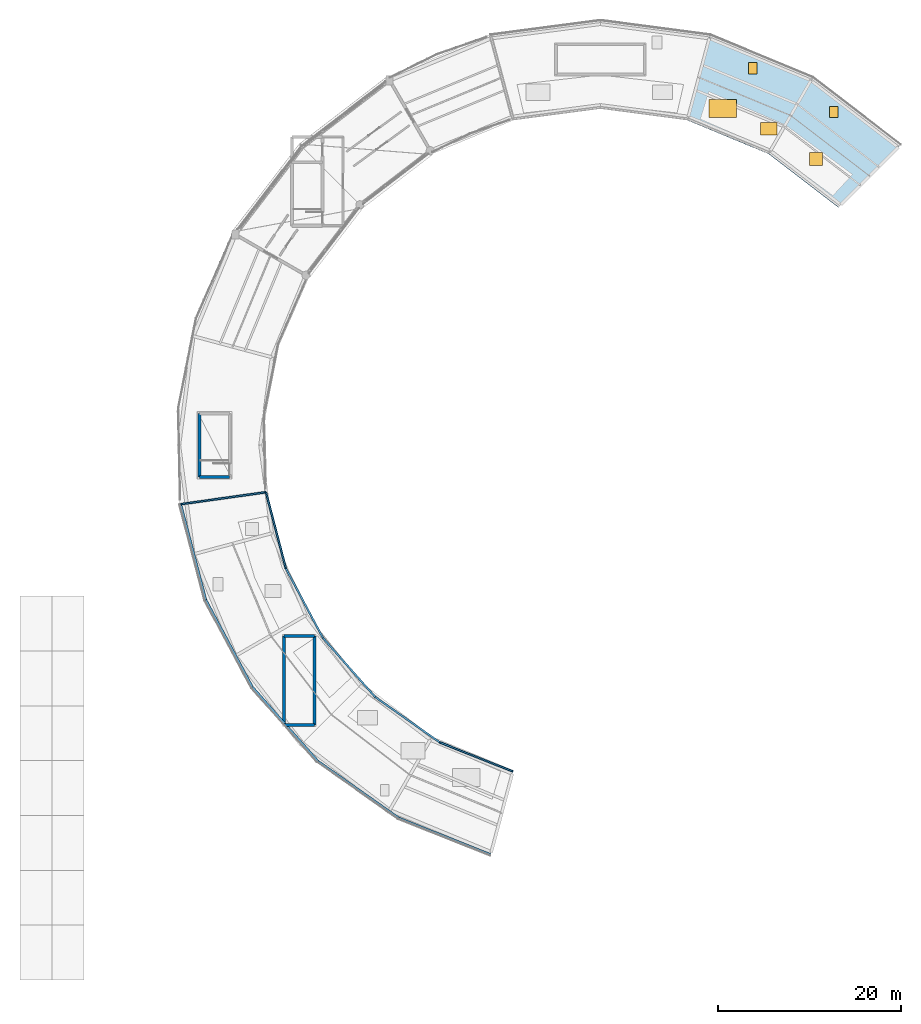
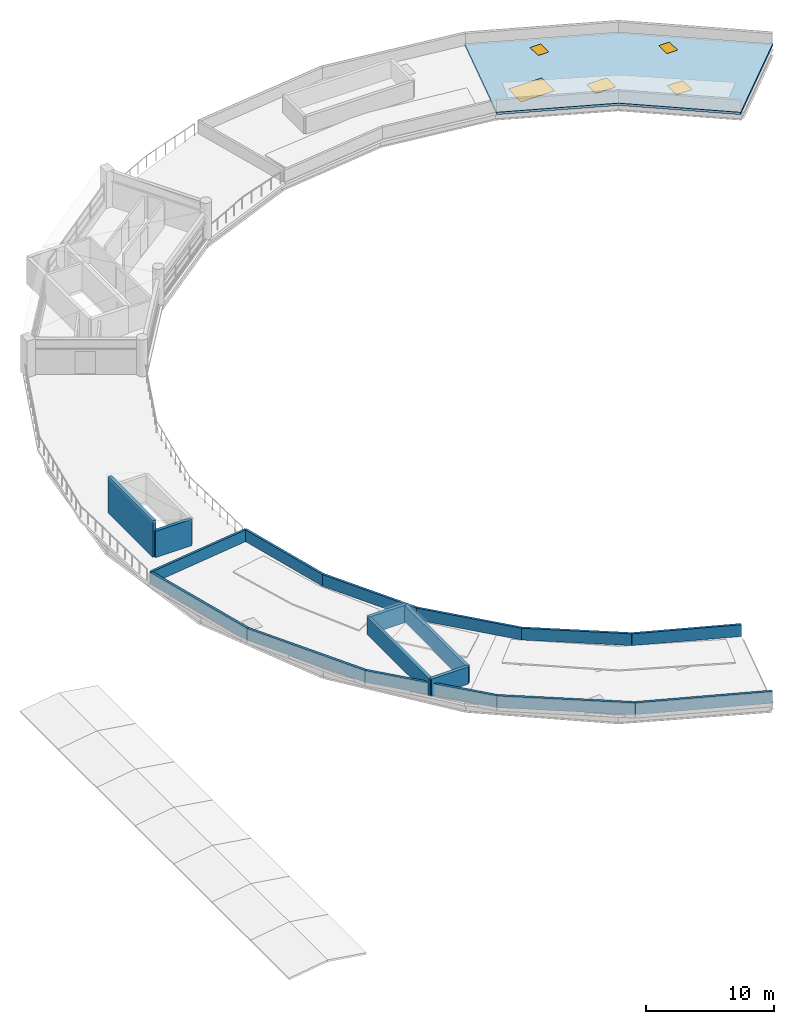
# One storey, part 9 of 12: 17 walls, 3 windows, 2 doors, 1 slab, 5 openings, 1 element without a shape of its own.
"""IFC4 building model written with IfcOpenShell, lengths in metres."""

from ifc_helpers import new_model, si_unit, direction, frame, frame_2d, origin, origin_2d, place, context, subcontext, project, spatial, polyline, rectangle, outline, extrude, material, layer, layer_set, type_object, element, fill, aggregate, save


model = new_model("IFC4")

# Units and contexts
model_context = context("Model", 3, precision=1e-05, world=origin(), true_north=direction((0.0, 1.0)))
body_context = subcontext(model_context, "Body", "Model", "MODEL_VIEW")
ifc_project = project(units=[si_unit("LENGTHUNIT", "METRE"), si_unit("AREAUNIT", "SQUARE_METRE"), si_unit("VOLUMEUNIT", "CUBIC_METRE"), si_unit("PLANEANGLEUNIT", "RADIAN"), si_unit("MASSUNIT", "GRAM", prefix="KILO")], contexts=[model_context])

# Site, building, storey
site_placement = place(None, origin())
site = spatial("IfcSite", under=ifc_project, at=site_placement, CompositionType="ELEMENT")
building_placement = place(site_placement, origin())
building = spatial("IfcBuilding", under=site, at=building_placement, Name="Vespera Passage Community Centre", CompositionType="ELEMENT")
storey_placement = place(building_placement, frame((0.0, 0.0, 24.300048828125)))
storey = spatial("IfcBuildingStorey", under=building, at=storey_placement, Name="ROOF", CompositionType="ELEMENT", Elevation=24.300048828125)

# Roof, slab, openings, doors, windows
ifc_material_1 = material(Name="Concrete f'c 35 MPa", Category="concrete")
roof_type = type_object("IfcRoofType", Name="RF-FLAT-V4", PredefinedType="FLAT_ROOF", material=ifc_material_1)
roof_placement = place(storey_placement, origin())
roof = element("IfcRoof", 1, at=roof_placement, inside=storey, type_object=roof_type, Name="Lifted Learning Ring Insulated Flat Roof V4", PredefinedType="FLAT_ROOF")
ifc_material_2 = material(Name="Concrete f'c 35 MPa", Category="concrete")
ifc_layer_1 = layer(ifc_material_2, 0.219970703125)
ifc_layer_set_1 = layer_set([ifc_layer_1], Name="Concrete f'c 35 MPa")
slab_type = type_object("IfcSlabType", Name="SL-ROOF-220E", PredefinedType="ROOF", material=ifc_layer_set_1)
slab_placement = place(storey_placement, frame((0.0, 0.0, -0.219970703125)))
slab = element("IfcSlab", 2, at=slab_placement, inside=storey, type_object=slab_type, Name="V4 Main Roof Sector 1 Slab", PredefinedType="ROOF", context=body_context, shape_type="SweptSolid", body=[
    extrude(outline(polyline([(110.880615234375, 98.380615234375), (101.25, 105.770263671875), (90.03515625, 110.41552734375), (87.5244140625, 101.046142578125), (96.39990234375, 97.36962890625), (104.021484375, 91.521484375), (110.880615234375, 98.380615234375)])), origin(), (0.0, 0.0, 1.0), 0.219970703125),
])
opening_1_placement = place(slab_placement, frame((101.591064453125, 96.806884765625, 0.0)))
opening_1 = element("IfcOpeningElement", 3, at=opening_1_placement, cuts=slab, Name="Opening SK-01E", PredefinedType="OPENING", context=body_context, shape_type="SweptSolid", body=[
    extrude(rectangle(XDim=1.39990234375, YDim=1.39990234375, at=origin_2d()), frame((0.0, 0.0, -0.010009765625)), (0.0, 0.0, 1.0), 0.239990234375),
])
opening_2_placement = place(slab_placement, frame((96.403076171875, 100.112060546875, 0.0)))
opening_2 = element("IfcOpeningElement", 4, at=opening_2_placement, cuts=slab, Name="Opening SK-02E", PredefinedType="OPENING", context=body_context, shape_type="SweptSolid", body=[
    extrude(rectangle(XDim=1.800048828125, YDim=1.39990234375, at=origin_2d()), frame((0.0, 0.0, -0.010009765625)), (0.0, 0.0, 1.0), 0.239990234375),
])
opening_3_placement = place(slab_placement, frame((91.406982421875, 102.3359375, 0.0)))
opening_3 = element("IfcOpeningElement", 5, at=opening_3_placement, cuts=slab, Name="Opening SK-05E", PredefinedType="OPENING", context=body_context, shape_type="SweptSolid", body=[
    extrude(rectangle(XDim=3.0, YDim=2.0, at=origin_2d()), frame((0.0, 0.0, -0.010009765625)), (0.0, 0.0, 1.0), 0.239990234375),
])
opening_4_placement = place(slab_placement, frame((103.52392578125, 101.951904296875, 0.0)))
opening_4 = element("IfcOpeningElement", 6, at=opening_4_placement, cuts=slab, Name="Opening DT-HT01", PredefinedType="OPENING", context=body_context, shape_type="SweptSolid", body=[
    extrude(rectangle(XDim=0.949951171875, YDim=1.25, at=origin_2d()), frame((0.0, 0.0, -0.010009765625)), (0.0, 0.0, 1.0), 0.239990234375),
])
opening_5_placement = place(slab_placement, frame((94.669921875, 106.760009765625, 0.0)))
opening_5 = element("IfcOpeningElement", 7, at=opening_5_placement, cuts=slab, Name="Opening DT-HT01", PredefinedType="OPENING", context=body_context, shape_type="SweptSolid", body=[
    extrude(rectangle(XDim=0.949951171875, YDim=1.25, at=origin_2d()), frame((0.0, 0.0, -0.010009765625)), (0.0, 0.0, 1.0), 0.239990234375),
])
ifc_material_3 = material(Name="Anodized aluminium 6063-T6", Category="aluminium")
door_type = type_object("IfcDoorType", Name="DT-HT01", OperationType="NOTDEFINED", PredefinedType="TRAPDOOR", material=ifc_material_3)
door_1_placement = place(opening_4_placement, frame((0.0, 0.0, 0.169921875)))
door_1 = element("IfcDoor", 8, at=door_1_placement, inside=storey, type_object=door_type, Name="Roof Access Hatch HT-042", OperationType="SINGLE_SWING_LEFT", OverallHeight=1.25, OverallWidth=0.949951171875, PredefinedType="TRAPDOOR", context=body_context, shape_type="SweptSolid", body=[
    extrude(rectangle(XDim=0.949951171875, YDim=1.25, at=origin_2d()), origin(), (0.0, 0.0, 1.0), 0.050048828125),
])
fill(opening_4, door_1)
door_2_placement = place(opening_5_placement, frame((0.0, 0.0, 0.169921875)))
door_2 = element("IfcDoor", 9, at=door_2_placement, inside=storey, type_object=door_type, Name="Roof Access Hatch HT-043", OperationType="SINGLE_SWING_LEFT", OverallHeight=1.25, OverallWidth=0.949951171875, PredefinedType="TRAPDOOR", context=body_context, shape_type="SweptSolid", body=[
    extrude(rectangle(XDim=0.949951171875, YDim=1.25, at=origin_2d()), origin(), (0.0, 0.0, 1.0), 0.050048828125),
])
fill(opening_5, door_2)
ifc_material_4 = material(Name="Low-E insulated vision glass", Category="glass")
window_type_1 = type_object("IfcWindowType", Name="SK-01E", PartitioningType="SINGLE_PANEL", PredefinedType="SKYLIGHT", material=ifc_material_4)
window_1_placement = place(opening_1_placement, frame((0.0, 0.0, 0.169921875)))
window_1 = element("IfcWindow", 10, at=window_1_placement, inside=storey, type_object=window_type_1, Name="Library Roof Skylight 1", OverallHeight=1.39990234375, OverallWidth=1.39990234375, PartitioningType="SINGLE_PANEL", PredefinedType="SKYLIGHT", context=body_context, shape_type="SweptSolid", body=[
    extrude(rectangle(XDim=1.39990234375, YDim=1.39990234375, at=origin_2d()), origin(), (0.0, 0.0, 1.0), 0.050048828125),
])
fill(opening_1, window_1)
ifc_material_5 = material(Name="Low-E insulated vision glass", Category="glass")
window_type_2 = type_object("IfcWindowType", Name="SK-02E", PartitioningType="SINGLE_PANEL", PredefinedType="SKYLIGHT", material=ifc_material_5)
window_2_placement = place(opening_2_placement, frame((0.0, 0.0, 0.169921875)))
window_2 = element("IfcWindow", 11, at=window_2_placement, inside=storey, type_object=window_type_2, Name="Library Roof Skylight 2", OverallHeight=1.39990234375, OverallWidth=1.800048828125, PartitioningType="SINGLE_PANEL", PredefinedType="SKYLIGHT", context=body_context, shape_type="SweptSolid", body=[
    extrude(rectangle(XDim=1.800048828125, YDim=1.39990234375, at=origin_2d()), origin(), (0.0, 0.0, 1.0), 0.050048828125),
])
fill(opening_2, window_2)
ifc_material_6 = material(Name="Low-E insulated vision glass", Category="glass")
window_type_3 = type_object("IfcWindowType", Name="SK-05E", PartitioningType="SINGLE_PANEL", PredefinedType="SKYLIGHT", material=ifc_material_6)
window_3_placement = place(opening_3_placement, frame((0.0, 0.0, 0.169921875)))
window_3 = element("IfcWindow", 12, at=window_3_placement, inside=storey, type_object=window_type_3, Name="Library Roof Skylight 3", OverallHeight=2.0, OverallWidth=3.0, PartitioningType="SINGLE_PANEL", PredefinedType="SKYLIGHT", context=body_context, shape_type="SweptSolid", body=[
    extrude(rectangle(XDim=3.0, YDim=2.0, at=origin_2d()), origin(), (0.0, 0.0, 1.0), 0.050048828125),
])
fill(opening_3, window_3)
aggregate(roof, [slab])

# Walls
ifc_material_7 = material(Name="Concrete f'c 45 MPa", Category="concrete")
ifc_layer_2 = layer(ifc_material_7, 0.300048828125)
ifc_layer_set_2 = layer_set([ifc_layer_2], Name="Concrete f'c 45 MPa")
wall_type_1 = type_object("IfcWallType", Name="WT-CORE-300I", PredefinedType="SHEAR", material=ifc_layer_set_2)
wall_1_placement = place(storey_placement, frame((37.449951171875, 62.02490234375, 0.0), z_axis=(0.0, 0.0, 1.0), x_axis=(-1.0, 0.0, 0.0)))
element("IfcWall", 13, at=wall_1_placement, inside=storey, type_object=wall_type_1, Name="Core C2 ROOF Shear Wall LEFT", PredefinedType="SHEAR", context=body_context, shape_type="SweptSolid", body=[
    extrude(rectangle(XDim=3.300048828125, YDim=0.300048828125, at=frame_2d((1.64990234375, 0.0))), origin(), (0.0, 0.0, 1.0), 2.5),
])
wall_2_placement = place(storey_placement, frame((34.14990234375, 62.02490234375, 0.0), z_axis=(0.0, 0.0, 1.0), x_axis=(0.0, 1.0, 0.0)))
element("IfcWall", 14, at=wall_2_placement, inside=storey, type_object=wall_type_1, Name="Core C2 ROOF Shear Wall BACK", PredefinedType="SHEAR", context=body_context, shape_type="SweptSolid", body=[
    extrude(rectangle(XDim=6.9501953125, YDim=0.300048828125, at=frame_2d((3.47509765625, 0.0))), origin(), (0.0, 0.0, 1.0), 3.47998046875),
])
ifc_material_8 = material(Name="Concrete f'c 45 MPa", Category="concrete")
ifc_layer_3 = layer(ifc_material_8, 0.2900390625)
ifc_layer_set_3 = layer_set([ifc_layer_3], Name="Concrete f'c 45 MPa")
wall_type_2 = type_object("IfcWallType", Name="WT-OVERRUN-290E", PredefinedType="SHEAR", material=ifc_layer_set_3)
wall_3_placement = place(storey_placement, frame((46.73095703125, 34.89990234375, 0.0), z_axis=(0.0, 0.0, 1.0), x_axis=(0.0, 1.0, 0.0)))
element("IfcWall", 15, at=wall_3_placement, inside=storey, type_object=wall_type_2, Name="Core C3 Overrun Enclosure Wall 1", PredefinedType="SHEAR", context=body_context, shape_type="SweptSolid", body=[
    extrude(rectangle(XDim=9.72998046875, YDim=0.2900390625, at=frame_2d((4.864990234375, 0.0))), origin(), (0.0, 0.0, 1.0), 1.64990234375),
])
wall_4_placement = place(storey_placement, frame((46.73095703125, 44.6298828125, 0.0), z_axis=(0.0, 0.0, 1.0), x_axis=(-1.0, 0.0, 0.0)))
element("IfcWall", 16, at=wall_4_placement, inside=storey, type_object=wall_type_2, Name="Core C3 Overrun Enclosure Wall 2", PredefinedType="SHEAR", context=body_context, shape_type="SweptSolid", body=[
    extrude(rectangle(XDim=3.33984375, YDim=0.2900390625, at=frame_2d((1.669921875, 0.0))), origin(), (0.0, 0.0, 1.0), 1.64990234375),
])
wall_5_placement = place(storey_placement, frame((43.39111328125, 44.6298828125, 0.0), z_axis=(0.0, 0.0, 1.0), x_axis=(0.0, -1.0, 0.0)))
element("IfcWall", 17, at=wall_5_placement, inside=storey, type_object=wall_type_2, Name="Core C3 Overrun Enclosure Wall 3", PredefinedType="SHEAR", context=body_context, shape_type="SweptSolid", body=[
    extrude(rectangle(XDim=9.72998046875, YDim=0.2900390625, at=frame_2d((4.864990234375, 0.0))), origin(), (0.0, 0.0, 1.0), 1.64990234375),
])
wall_6_placement = place(storey_placement, frame((43.39111328125, 34.89990234375, 0.0), z_axis=(0.0, 0.0, 1.0), x_axis=(1.0, 0.0, 0.0)))
element("IfcWall", 18, at=wall_6_placement, inside=storey, type_object=wall_type_2, Name="Core C3 Overrun Enclosure Wall 4", PredefinedType="SHEAR", context=body_context, shape_type="SweptSolid", body=[
    extrude(rectangle(XDim=3.33984375, YDim=0.2900390625, at=frame_2d((1.669921875, 0.0))), origin(), (0.0, 0.0, 1.0), 1.64990234375),
])
ifc_material_9 = material(Name="Precast concrete f'c 40 MPa", Category="concrete")
ifc_layer_4 = layer(ifc_material_9, 0.199951171875)
ifc_layer_set_4 = layer_set([ifc_layer_4], Name="Precast concrete f'c 40 MPa")
wall_type_3 = type_object("IfcWallType", Name="WT-PAR-200E", PredefinedType="PARAPET", material=ifc_layer_set_4)
for number, where, z_axis, x_axis, name in (
    (19, (41.40966796875, 60.357666015625, 0.0), (0.0, 0.0, 1.0), (0.253739181514, -0.967272674981, 0.0), "V4 Roof Inner Parapet W1"),
    (20, (43.597412109375, 52.017822265625, 0.0), (0.0, 0.0, 1.0), (0.471008512983, -0.88212866448, 0.0), "V4 Roof Inner Parapet W2"),
    (21, (47.658447265625, 44.412109375, 0.0), (0.0, 0.0, 1.0), (0.662620314302, -0.748955485376, 0.0), "V4 Roof Inner Parapet W3"),
    (22, (53.37158203125, 37.95458984375, 0.0), (0.0, 0.0, 1.0), (0.818163615236, -0.57498547695, 0.0), "V4 Roof Inner Parapet W4"),
):
    element("IfcWall", number, at=place(storey_placement, frame(where, z_axis=z_axis, x_axis=x_axis)), inside=storey, type_object=wall_type_3, Name=name, PredefinedType="PARAPET", context=body_context, shape_type="SweptSolid", body=[
        extrude(rectangle(XDim=8.6220703125, YDim=0.199951171875, at=frame_2d((4.31103515625, 0.0))), origin(), (0.0, 0.0, 1.0), 1.119873046875),
    ])
wall_7_placement = place(storey_placement, frame((60.42578125, 32.9970703125, 0.0), z_axis=(0.0, 0.0, 1.0), x_axis=(0.929127519465, -0.369759452309, 0.0)))
element("IfcWall", 23, at=wall_7_placement, inside=storey, type_object=wall_type_3, Name="V4 Roof Inner Parapet W5", PredefinedType="PARAPET", context=body_context, shape_type="SweptSolid", body=[
    extrude(rectangle(XDim=8.621826171875, YDim=0.199951171875, at=frame_2d((4.31103515625, 0.0))), origin(), (0.0, 0.0, 1.0), 1.119873046875),
])
wall_8_placement = place(storey_placement, frame((41.40966796875, 60.357666015625, 0.0), z_axis=(0.0, 0.0, 1.0), x_axis=(-0.990266425511, -0.139184792654, 0.0)))
element("IfcWall", 24, at=wall_8_placement, inside=storey, type_object=wall_type_3, Name="V4 Roof 188 Deg Divider Parapet", PredefinedType="PARAPET", context=body_context, shape_type="SweptSolid", body=[
    extrude(rectangle(XDim=9.400146484375, YDim=0.199951171875, at=frame_2d((4.7001953125, 0.0))), origin(), (0.0, 0.0, 1.0), 1.119873046875),
])
ifc_material_10 = material(Name="Precast concrete f'c 40 MPa", Category="concrete")
ifc_layer_5 = layer(ifc_material_10, 0.219970703125)
ifc_layer_set_5 = layer_set([ifc_layer_5], Name="Precast concrete f'c 40 MPa")
wall_type_4 = type_object("IfcWallType", Name="WT-PAR-220E", PredefinedType="PARAPET", material=ifc_layer_set_5)
wall_9_placement = place(storey_placement, frame((32.10107421875, 59.04931640625, 0.0), z_axis=(0.0, 0.0, 1.0), x_axis=(0.253768777735, -0.967264910687, 0.0)))
element("IfcWall", 25, at=wall_9_placement, inside=storey, type_object=wall_type_4, Name="V4 Roof Outer Parapet W1", PredefinedType="PARAPET", context=body_context, shape_type="SweptSolid", body=[
    extrude(rectangle(XDim=10.8154296875, YDim=0.219970703125, at=frame_2d((5.40771484375, 0.0))), origin(), (0.0, 0.0, 1.0), 1.119873046875),
])
for number, where, z_axis, x_axis, name in (
    (26, (34.845703125, 48.587890625, 0.0), (0.0, 0.0, 1.0), (0.470999430976, -0.882133513716, 0.0), "V4 Roof Outer Parapet W2"),
    (27, (39.939697265625, 39.04736328125, 0.0), (0.0, 0.0, 1.0), (0.662627457845, -0.748949165237, 0.0), "V4 Roof Outer Parapet W3"),
):
    element("IfcWall", number, at=place(storey_placement, frame(where, z_axis=z_axis, x_axis=x_axis)), inside=storey, type_object=wall_type_4, Name=name, PredefinedType="PARAPET", context=body_context, shape_type="SweptSolid", body=[
        extrude(rectangle(XDim=10.815185546875, YDim=0.219970703125, at=frame_2d((5.40771484375, 0.0))), origin(), (0.0, 0.0, 1.0), 1.119873046875),
    ])
for number, where, z_axis, x_axis, name in (
    (28, (47.106201171875, 30.947265625, 0.0), (0.0, 0.0, 1.0), (0.818146636057, -0.575009636361, 0.0), "V4 Roof Outer Parapet W4"),
    (29, (55.954833984375, 24.728271484375, 0.0), (0.0, 0.0, 1.0), (0.929129107754, -0.369755461249, 0.0), "V4 Roof Outer Parapet W5"),
):
    element("IfcWall", number, at=place(storey_placement, frame(where, z_axis=z_axis, x_axis=x_axis)), inside=storey, type_object=wall_type_4, Name=name, PredefinedType="PARAPET", context=body_context, shape_type="SweptSolid", body=[
        extrude(rectangle(XDim=10.8154296875, YDim=0.219970703125, at=frame_2d((5.40771484375, 0.0))), origin(), (0.0, 0.0, 1.0), 1.119873046875),
    ])

save(model, "model.ifc")
